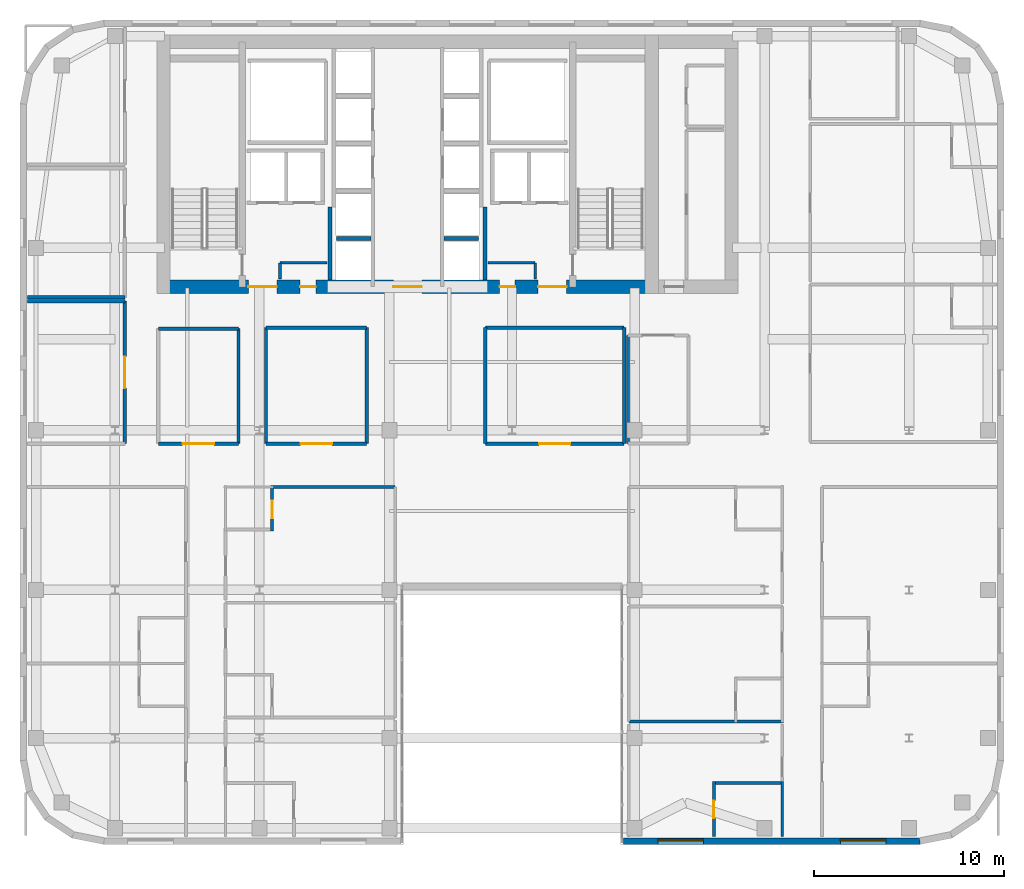
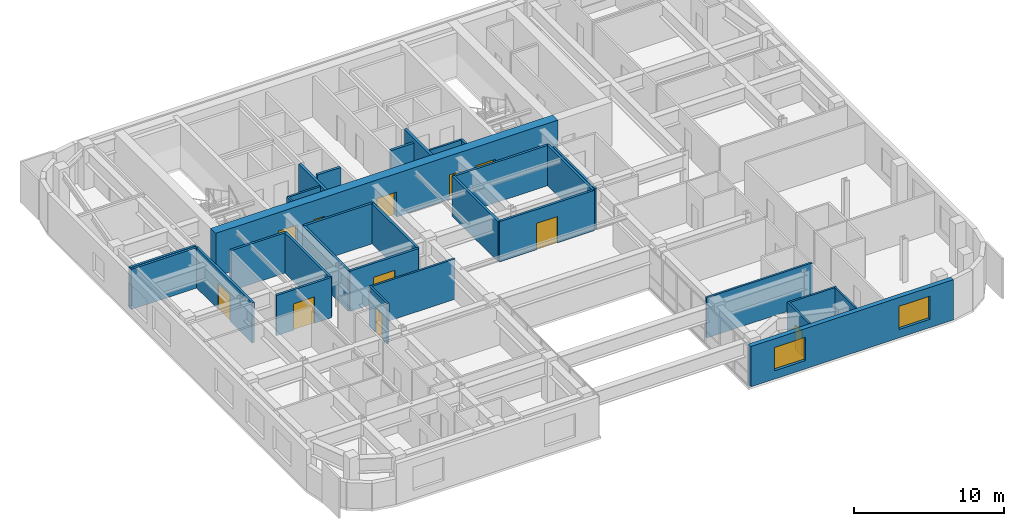
# One storey, part 8 of 13: 31 walls, 11 doors, 2 windows, 13 openings.
"""IFC4 building model written with IfcOpenShell, lengths in metres."""

from ifc_helpers import new_model, si_unit, direction, frame, frame_2d, origin, place, context, subcontext, project, spatial, rectangle, extrude, source, transform, mapped, material, layer, layer_set, type_object, type_shapes, element, fill, save


model = new_model("IFC4")

# Units and contexts
model_context = context("Model", 3, precision=1e-05, world=origin(), true_north=direction((0.0, 1.0)))
body_context = subcontext(model_context, "Body", "Model", "MODEL_VIEW")
ifc_project = project(units=[si_unit("LENGTHUNIT", "METRE"), si_unit("AREAUNIT", "SQUARE_METRE"), si_unit("VOLUMEUNIT", "CUBIC_METRE"), si_unit("PLANEANGLEUNIT", "RADIAN"), si_unit("MASSUNIT", "GRAM", prefix="KILO")], contexts=[model_context])

# Site, building, storey
site_placement = place(None, origin())
site = spatial("IfcSite", under=ifc_project, at=site_placement, CompositionType="ELEMENT")
building_placement = place(site_placement, origin())
building = spatial("IfcBuilding", under=site, at=building_placement, Name="Tolvann Quenvar Hotel", CompositionType="ELEMENT")
storey_placement = place(building_placement, frame((0.0, 0.0, 201.75)))
storey = spatial("IfcBuildingStorey", under=building, at=storey_placement, Name="L53", CompositionType="ELEMENT", Elevation=201.75)

# Wall, openings, doors
ifc_material_1 = material(Name="Concrete S65 (65 MPa)", Category="concrete")
ifc_layer_1 = layer(ifc_material_1, 0.699951171875)
ifc_layer_set_1 = layer_set([ifc_layer_1], Name="Concrete S65 (65 MPa)")
wall_type_1 = type_object("IfcWallType", Name="WALL_CORE_700", PredefinedType="SHEAR", material=ifc_layer_set_1)
wall_1_placement = place(storey_placement, frame((9.800048828125, 31.949951171875, 0.0), z_axis=(0.0, 0.0, 1.0), x_axis=(1.0, 0.0, 0.0)))
wall_1 = element("IfcWall", 1, at=wall_1_placement, inside=storey, type_object=wall_type_1, Name="Rear Core S Shear Wall (L53)", PredefinedType="SHEAR", context=body_context, shape_type="SweptSolid", body=[
    extrude(rectangle(XDim=26.39990234375, YDim=0.699951171875, at=frame_2d((13.199951171875, 0.0))), origin(), (0.0, 0.0, 1.0), 3.550048828125),
])
opening_1_placement = place(wall_1_placement, frame((6.320068359375, 0.0, 0.0), z_axis=(0.0, 0.0, 1.0), x_axis=(-1.0, 0.0, 0.0)))
opening_1 = element("IfcOpeningElement", 2, at=opening_1_placement, cuts=wall_1, Name="Opening FD-60D", PredefinedType="OPENING", context=body_context, shape_type="SweptSolid", body=[
    extrude(rectangle(XDim=1.5, YDim=2.0400390625, at=frame_2d((0.75, 1.02001953125))), frame((0.0, 0.35986328125, 0.0), z_axis=(0.0, -1.0, 0.0), x_axis=(1.0, 0.0, 0.0)), (0.0, 0.0, 1.0), 0.719970703125),
])
opening_2_placement = place(wall_1_placement, frame((13.949951171875, 0.0, 0.0), z_axis=(0.0, 0.0, 1.0), x_axis=(-1.0, 0.0, 0.0)))
opening_2 = element("IfcOpeningElement", 3, at=opening_2_placement, cuts=wall_1, Name="Opening FD-60D", PredefinedType="OPENING", context=body_context, shape_type="SweptSolid", body=[
    extrude(rectangle(XDim=1.5, YDim=2.0400390625, at=frame_2d((0.75, 1.02001953125))), frame((0.0, 0.35986328125, 0.0), z_axis=(0.0, -1.0, 0.0), x_axis=(1.0, 0.0, 0.0)), (0.0, 0.0, 1.0), 0.719970703125),
])
opening_3_placement = place(wall_1_placement, frame((21.580078125, 0.0, 0.0), z_axis=(0.0, 0.0, 1.0), x_axis=(-1.0, 0.0, 0.0)))
opening_3 = element("IfcOpeningElement", 4, at=opening_3_placement, cuts=wall_1, Name="Opening FD-60D", PredefinedType="OPENING", context=body_context, shape_type="SweptSolid", body=[
    extrude(rectangle(XDim=1.5, YDim=2.0400390625, at=frame_2d((0.75, 1.02001953125))), frame((0.0, 0.35986328125, 0.0), z_axis=(0.0, -1.0, 0.0), x_axis=(1.0, 0.0, 0.0)), (0.0, 0.0, 1.0), 0.719970703125),
])
opening_4_placement = place(wall_1_placement, frame((8.3701171875, 0.0, 0.0), z_axis=(0.0, 0.0, 1.0), x_axis=(-1.0, 0.0, 0.0)))
opening_4 = element("IfcOpeningElement", 5, at=opening_4_placement, cuts=wall_1, Name="Opening HD-02", PredefinedType="OPENING", context=body_context, shape_type="SweptSolid", body=[
    extrude(rectangle(XDim=0.820068359375, YDim=2.010009765625, at=frame_2d((0.41015625, 1.0048828125))), frame((0.0, 0.35986328125, 0.0), z_axis=(0.0, -1.0, 0.0), x_axis=(1.0, 0.0, 0.0)), (0.0, 0.0, 1.0), 0.719970703125),
])
opening_5_placement = place(wall_1_placement, frame((18.8701171875, 0.0, 0.0), z_axis=(0.0, 0.0, 1.0), x_axis=(-1.0, 0.0, 0.0)))
opening_5 = element("IfcOpeningElement", 6, at=opening_5_placement, cuts=wall_1, Name="Opening HD-02", PredefinedType="OPENING", context=body_context, shape_type="SweptSolid", body=[
    extrude(rectangle(XDim=0.820068359375, YDim=2.010009765625, at=frame_2d((0.41015625, 1.0048828125))), frame((0.0, 0.35986328125, 0.0), z_axis=(0.0, -1.0, 0.0), x_axis=(1.0, 0.0, 0.0)), (0.0, 0.0, 1.0), 0.719970703125),
])
ifc_material_2 = material(Name="Solid-core American oak acoustic fire door leaf in steel frame", Category="steel")
door_type_1 = type_object("IfcDoorType", Name="DOOR_FIRE_LOBBY_1500", OperationType="NOTDEFINED", PredefinedType="DOOR", material=ifc_material_2)
shared_shape_1 = source(origin(), body_context, "Body", "SweptSolid", [
    extrude(rectangle(XDim=1.5, YDim=2.0400390625, at=frame_2d((0.75, 1.02001953125))), frame((0.0, 0.02490234375, 0.0), z_axis=(0.0, -1.0, 0.0), x_axis=(1.0, 0.0, 0.0)), (0.0, 0.0, 1.0), 0.050048828125),
])
type_shapes(door_type_1, [shared_shape_1])
door_1_placement = place(opening_1_placement, origin())
door_1 = element("IfcDoor", 7, at=door_1_placement, inside=storey, type_object=door_type_1, Name="Core Lobby Fire Door FFW (L53)", OperationType="DOUBLE_DOOR_SINGLE_SWING", OverallHeight=2.0400390625, OverallWidth=1.5, PredefinedType="DOOR", context=body_context, shape_type="MappedRepresentation", body=[
    mapped(shared_shape_1, transform((0.0, 0.0, 0.0), x_axis=(1.0, 0.0, 0.0), y_axis=(0.0, 1.0, 0.0), z_axis=(0.0, 0.0, 1.0), scale=1.0)),
])
fill(opening_1, door_1)
door_2_placement = place(opening_2_placement, origin())
door_2 = element("IfcDoor", 8, at=door_2_placement, inside=storey, type_object=door_type_1, Name="Core Lobby Fire Door CLOB (L53)", OperationType="DOUBLE_DOOR_SINGLE_SWING", OverallHeight=2.0400390625, OverallWidth=1.5, PredefinedType="DOOR", context=body_context, shape_type="MappedRepresentation", body=[
    mapped(shared_shape_1, transform((0.0, 0.0, 0.0), x_axis=(1.0, 0.0, 0.0), y_axis=(0.0, 1.0, 0.0), z_axis=(0.0, 0.0, 1.0), scale=1.0)),
])
fill(opening_2, door_2)
door_3_placement = place(opening_3_placement, origin())
door_3 = element("IfcDoor", 9, at=door_3_placement, inside=storey, type_object=door_type_1, Name="Core Lobby Fire Door FFE (L53)", OperationType="DOUBLE_DOOR_SINGLE_SWING", OverallHeight=2.0400390625, OverallWidth=1.5, PredefinedType="DOOR", context=body_context, shape_type="MappedRepresentation", body=[
    mapped(shared_shape_1, transform((0.0, 0.0, 0.0), x_axis=(1.0, 0.0, 0.0), y_axis=(0.0, 1.0, 0.0), z_axis=(0.0, 0.0, 1.0), scale=1.0)),
])
fill(opening_3, door_3)
ifc_material_3 = material(Name="Pressed galvanised steel fire-rated door set", Category="steel")
door_type_2 = type_object("IfcDoorType", Name="DOOR_STORE_820", OperationType="NOTDEFINED", PredefinedType="DOOR", material=ifc_material_3)
shared_shape_2 = source(origin(), body_context, "Body", "SweptSolid", [
    extrude(rectangle(XDim=0.820068359375, YDim=2.010009765625, at=frame_2d((0.41015625, 1.0048828125))), frame((0.0, 0.02490234375, 0.0), z_axis=(0.0, -1.0, 0.0), x_axis=(1.0, 0.0, 0.0)), (0.0, 0.0, 1.0), 0.050048828125),
])
type_shapes(door_type_2, [shared_shape_2])
door_4_placement = place(opening_4_placement, origin())
door_4 = element("IfcDoor", 10, at=door_4_placement, inside=storey, type_object=door_type_2, Name="Core Linen Store Fire Door (L53)", OperationType="SINGLE_SWING_RIGHT", OverallHeight=2.010009765625, OverallWidth=0.820068359375, PredefinedType="DOOR", context=body_context, shape_type="MappedRepresentation", body=[
    mapped(shared_shape_2, transform((0.0, 0.0, 0.0), x_axis=(1.0, 0.0, 0.0), y_axis=(0.0, 1.0, 0.0), z_axis=(0.0, 0.0, 1.0), scale=1.0)),
])
fill(opening_4, door_4)
door_5_placement = place(opening_5_placement, origin())
door_5 = element("IfcDoor", 11, at=door_5_placement, inside=storey, type_object=door_type_2, Name="Core Comms Closet Fire Door (L53)", OperationType="SINGLE_SWING_LEFT", OverallHeight=2.010009765625, OverallWidth=0.820068359375, PredefinedType="DOOR", context=body_context, shape_type="MappedRepresentation", body=[
    mapped(shared_shape_2, transform((0.0, 0.0, 0.0), x_axis=(1.0, 0.0, 0.0), y_axis=(0.0, 1.0, 0.0), z_axis=(0.0, 0.0, 1.0), scale=1.0)),
])
fill(opening_5, door_5)

# Wall, openings, windows
ifc_material_4 = material(Name="Kiln-fired red and buff architectural clay brickwork and terracotta masonry", Category="masonry")
ifc_layer_2 = layer(ifc_material_4, 0.35009765625)
ifc_layer_set_2 = layer_set([ifc_layer_2], Name="Kiln-fired red and buff architectural clay brickwork and terracotta masonry")
wall_type_2 = type_object("IfcWallType", Name="WALL_EXT_BRICK_350", PredefinedType="SOLIDWALL", material=ifc_layer_set_2)
wall_2_placement = place(storey_placement, frame((34.375, 2.77490234375, 0.0), z_axis=(0.0, 0.0, 1.0), x_axis=(1.0, 0.0, 0.0)))
wall_2 = element("IfcWall", 12, at=wall_2_placement, inside=storey, type_object=wall_type_2, Name="Exterior Chicago Brick Wall L53-E08", PredefinedType="SOLIDWALL", context=body_context, shape_type="SweptSolid", body=[
    extrude(rectangle(XDim=15.60791015625, YDim=0.35009765625, at=frame_2d((7.803955078125, 0.0))), origin(), (0.0, 0.0, 1.0), 3.2900390625),
])
opening_6_placement = place(wall_2_placement, frame((1.801025390625, 0.0, 0.679931640625)))
opening_6 = element("IfcOpeningElement", 13, at=opening_6_placement, cuts=wall_2, Name="Opening W-01", PredefinedType="OPENING", context=body_context, shape_type="SweptSolid", body=[
    extrude(rectangle(XDim=2.39990234375, YDim=1.89990234375, at=frame_2d((1.199951171875, 0.949951171875))), frame((0.0, 0.18505859375, 0.0), z_axis=(0.0, -1.0, 0.0), x_axis=(1.0, 0.0, 0.0)), (0.0, 0.0, 1.0), 0.3701171875),
])
opening_7_placement = place(wall_2_placement, frame((11.406005859375, 0.0, 0.679931640625)))
opening_7 = element("IfcOpeningElement", 14, at=opening_7_placement, cuts=wall_2, Name="Opening W-01", PredefinedType="OPENING", context=body_context, shape_type="SweptSolid", body=[
    extrude(rectangle(XDim=2.39990234375, YDim=1.89990234375, at=frame_2d((1.199951171875, 0.949951171875))), frame((0.0, 0.18505859375, 0.0), z_axis=(0.0, -1.0, 0.0), x_axis=(1.0, 0.0, 0.0)), (0.0, 0.0, 1.0), 0.3701171875),
])
ifc_material_5 = material(Name="Thermally broken bronze-anodised aluminium frame with double low-E glazing", Category="aluminium")
window_type = type_object("IfcWindowType", Name="WIN_CHI_2400x2050", PartitioningType="TRIPLE_PANEL_HORIZONTAL", PredefinedType="WINDOW", material=ifc_material_5)
shared_shape_3 = source(origin(), body_context, "Body", "SweptSolid", [
    extrude(rectangle(XDim=2.39990234375, YDim=1.89990234375, at=frame_2d((1.199951171875, 0.949951171875))), frame((0.0, 0.090087890625, 0.0), z_axis=(0.0, -1.0, 0.0), x_axis=(1.0, 0.0, 0.0)), (0.0, 0.0, 1.0), 0.06005859375),
])
type_shapes(window_type, [shared_shape_3])
window_1_placement = place(opening_6_placement, origin())
window_1 = element("IfcWindow", 15, at=window_1_placement, inside=storey, type_object=window_type, Name="Chicago Window W-01 (EW-L53-E08-W01)", OverallHeight=1.89990234375, OverallWidth=2.39990234375, PartitioningType="TRIPLE_PANEL_HORIZONTAL", PredefinedType="WINDOW", context=body_context, shape_type="MappedRepresentation", body=[
    mapped(shared_shape_3, transform((0.0, 0.0, 0.0), x_axis=(1.0, 0.0, 0.0), y_axis=(0.0, 1.0, 0.0), z_axis=(0.0, 0.0, 1.0), scale=1.0)),
])
fill(opening_6, window_1)
window_2_placement = place(opening_7_placement, origin())
window_2 = element("IfcWindow", 16, at=window_2_placement, inside=storey, type_object=window_type, Name="Chicago Window W-01 (EW-L53-E08-W02)", OverallHeight=1.89990234375, OverallWidth=2.39990234375, PartitioningType="TRIPLE_PANEL_HORIZONTAL", PredefinedType="WINDOW", context=body_context, shape_type="MappedRepresentation", body=[
    mapped(shared_shape_3, transform((0.0, 0.0, 0.0), x_axis=(1.0, 0.0, 0.0), y_axis=(0.0, 1.0, 0.0), z_axis=(0.0, 0.0, 1.0), scale=1.0)),
])
fill(opening_7, window_2)

# Wall
ifc_material_6 = material(Name="Acoustic twin-stud fire-rated gypsum plasterboard partition")
ifc_layer_3 = layer(ifc_material_6, 0.179931640625)
ifc_layer_set_3 = layer_set([ifc_layer_3], Name="Acoustic twin-stud fire-rated gypsum plasterboard partition")
wall_type_3 = type_object("IfcWallType", Name="WALL_PART_ACOUSTIC_180", PredefinedType="PARTITIONING", material=ifc_layer_set_3)
wall_3_placement = place(storey_placement, frame((3.0048828125, 31.199951171875, 0.0), z_axis=(0.0, 0.0, 1.0), x_axis=(1.0, 0.0, 0.0)))
element("IfcWall", 17, at=wall_3_placement, inside=storey, type_object=wall_type_3, Name="Interior Partition PT-SPC-L53-SAL-N", PredefinedType="PARTITIONING", context=body_context, shape_type="SweptSolid", body=[
    extrude(rectangle(XDim=5.115234375, YDim=0.179931640625, at=frame_2d((2.5576171875, 0.0))), origin(), (0.0, 0.0, 1.0), 3.2900390625),
])

# Wall, opening, door
wall_4_placement = place(storey_placement, frame((8.1201171875, 23.699951171875, 0.0), z_axis=(0.0, 0.0, 1.0), x_axis=(0.0, 1.0, 0.0)))
wall_4 = element("IfcWall", 18, at=wall_4_placement, inside=storey, type_object=wall_type_3, Name="Interior Partition PT-SPC-L53-SAL-E", PredefinedType="PARTITIONING", context=body_context, shape_type="SweptSolid", body=[
    extrude(rectangle(XDim=7.5, YDim=0.179931640625, at=frame_2d((3.75, 0.0))), origin(), (0.0, 0.0, 1.0), 3.2900390625),
])
opening_8_placement = place(wall_4_placement, frame((2.925048828125, 0.0, 0.0)))
opening_8 = element("IfcOpeningElement", 19, at=opening_8_placement, cuts=wall_4, Name="Opening AD-01", PredefinedType="OPENING", context=body_context, shape_type="SweptSolid", body=[
    extrude(rectangle(XDim=1.64990234375, YDim=2.14990234375, at=frame_2d((0.824951171875, 1.074951171875))), frame((0.0, 0.10009765625, 0.0), z_axis=(0.0, -1.0, 0.0), x_axis=(1.0, 0.0, 0.0)), (0.0, 0.0, 1.0), 0.199951171875),
])
door_type_3 = type_object("IfcDoorType", Name="DOOR_SALON_1650", OperationType="NOTDEFINED", PredefinedType="DOOR", material=ifc_material_2)
shared_shape_4 = source(origin(), body_context, "Body", "SweptSolid", [
    extrude(rectangle(XDim=1.64990234375, YDim=2.14990234375, at=frame_2d((0.824951171875, 1.074951171875))), frame((0.0, 0.02490234375, 0.0), z_axis=(0.0, -1.0, 0.0), x_axis=(1.0, 0.0, 0.0)), (0.0, 0.0, 1.0), 0.050048828125),
])
type_shapes(door_type_3, [shared_shape_4])
door_6_placement = place(opening_8_placement, origin())
door_6 = element("IfcDoor", 20, at=door_6_placement, inside=storey, type_object=door_type_3, Name="Interior Door DOOR-SPC-L53-SAL", OperationType="DOUBLE_DOOR_SINGLE_SWING", OverallHeight=2.14990234375, OverallWidth=1.64990234375, PredefinedType="DOOR", context=body_context, shape_type="MappedRepresentation", body=[
    mapped(shared_shape_4, transform((0.0, 0.0, 0.0), x_axis=(1.0, 0.0, 0.0), y_axis=(0.0, 1.0, 0.0), z_axis=(0.0, 0.0, 1.0), scale=1.0)),
])
fill(opening_8, door_6)

# Wall
wall_5_placement = place(storey_placement, frame((3.0048828125, 31.39990234375, 0.0), z_axis=(0.0, 0.0, 1.0), x_axis=(1.0, 0.0, 0.0)))
element("IfcWall", 21, at=wall_5_placement, inside=storey, type_object=wall_type_3, Name="Interior Partition PT-SPC-L53-MTG-S", PredefinedType="PARTITIONING", context=body_context, shape_type="SweptSolid", body=[
    extrude(rectangle(XDim=5.115234375, YDim=0.179931640625, at=frame_2d((2.5576171875, 0.0))), origin(), (0.0, 0.0, 1.0), 3.2900390625),
])

# Wall, opening, door
wall_6_placement = place(storey_placement, frame((9.8798828125, 23.699951171875, 0.0), z_axis=(0.0, 0.0, 1.0), x_axis=(1.0, 0.0, 0.0)))
wall_6 = element("IfcWall", 22, at=wall_6_placement, inside=storey, type_object=wall_type_3, Name="Interior Partition PT-SPC-L53-MSP-W-S", PredefinedType="PARTITIONING", context=body_context, shape_type="SweptSolid", body=[
    extrude(rectangle(XDim=4.22021484375, YDim=0.179931640625, at=frame_2d((2.110107421875, 0.0))), origin(), (0.0, 0.0, 1.0), 3.2900390625),
])
opening_9_placement = place(wall_6_placement, frame((1.284912109375, 0.0, 0.0)))
opening_9 = element("IfcOpeningElement", 23, at=opening_9_placement, cuts=wall_6, Name="Opening AD-01", PredefinedType="OPENING", context=body_context, shape_type="SweptSolid", body=[
    extrude(rectangle(XDim=1.64990234375, YDim=2.14990234375, at=frame_2d((0.824951171875, 1.074951171875))), frame((0.0, 0.10009765625, 0.0), z_axis=(0.0, -1.0, 0.0), x_axis=(1.0, 0.0, 0.0)), (0.0, 0.0, 1.0), 0.199951171875),
])
door_7_placement = place(opening_9_placement, origin())
door_7 = element("IfcDoor", 24, at=door_7_placement, inside=storey, type_object=door_type_3, Name="Interior Door DOOR-SPC-L53-MSP-W", OperationType="DOUBLE_DOOR_SINGLE_SWING", OverallHeight=2.14990234375, OverallWidth=1.64990234375, PredefinedType="DOOR", context=body_context, shape_type="MappedRepresentation", body=[
    mapped(shared_shape_4, transform((0.0, 0.0, 0.0), x_axis=(1.0, 0.0, 0.0), y_axis=(0.0, 1.0, 0.0), z_axis=(0.0, 0.0, 1.0), scale=1.0)),
])
fill(opening_9, door_7)

# Walls
wall_7_placement = place(storey_placement, frame((9.8798828125, 29.75, 0.0), z_axis=(0.0, 0.0, 1.0), x_axis=(1.0, 0.0, 0.0)))
element("IfcWall", 25, at=wall_7_placement, inside=storey, type_object=wall_type_3, Name="Interior Partition PT-SPC-L53-MSP-W-N", PredefinedType="PARTITIONING", context=body_context, shape_type="SweptSolid", body=[
    extrude(rectangle(XDim=4.22021484375, YDim=0.179931640625, at=frame_2d((2.110107421875, 0.0))), origin(), (0.0, 0.0, 1.0), 3.2900390625),
])
wall_8_placement = place(storey_placement, frame((14.10009765625, 23.699951171875, 0.0), z_axis=(0.0, 0.0, 1.0), x_axis=(0.0, 1.0, 0.0)))
element("IfcWall", 26, at=wall_8_placement, inside=storey, type_object=wall_type_3, Name="Interior Partition PT-SPC-L53-MSP-W-E", PredefinedType="PARTITIONING", context=body_context, shape_type="SweptSolid", body=[
    extrude(rectangle(XDim=6.050048828125, YDim=0.179931640625, at=frame_2d((3.02490234375, 0.0))), origin(), (0.0, 0.0, 1.0), 3.2900390625),
])

# Wall, opening, door
wall_9_placement = place(storey_placement, frame((27.10009765625, 23.699951171875, 0.0), z_axis=(0.0, 0.0, 1.0), x_axis=(1.0, 0.0, 0.0)))
wall_9 = element("IfcWall", 27, at=wall_9_placement, inside=storey, type_object=wall_type_3, Name="Interior Partition PT-SPC-L53-MSP-C-S", PredefinedType="PARTITIONING", context=body_context, shape_type="SweptSolid", body=[
    extrude(rectangle(XDim=7.2998046875, YDim=0.179931640625, at=frame_2d((3.64990234375, 0.0))), origin(), (0.0, 0.0, 1.0), 3.2900390625),
])
opening_10_placement = place(wall_9_placement, frame((2.824951171875, 0.0, 0.0)))
opening_10 = element("IfcOpeningElement", 28, at=opening_10_placement, cuts=wall_9, Name="Opening AD-01", PredefinedType="OPENING", context=body_context, shape_type="SweptSolid", body=[
    extrude(rectangle(XDim=1.64990234375, YDim=2.14990234375, at=frame_2d((0.824951171875, 1.074951171875))), frame((0.0, 0.10009765625, 0.0), z_axis=(0.0, -1.0, 0.0), x_axis=(1.0, 0.0, 0.0)), (0.0, 0.0, 1.0), 0.199951171875),
])
door_8_placement = place(opening_10_placement, origin())
door_8 = element("IfcDoor", 29, at=door_8_placement, inside=storey, type_object=door_type_3, Name="Interior Door DOOR-SPC-L53-MSP-C", OperationType="DOUBLE_DOOR_SINGLE_SWING", OverallHeight=2.14990234375, OverallWidth=1.64990234375, PredefinedType="DOOR", context=body_context, shape_type="MappedRepresentation", body=[
    mapped(shared_shape_4, transform((0.0, 0.0, 0.0), x_axis=(1.0, 0.0, 0.0), y_axis=(0.0, 1.0, 0.0), z_axis=(0.0, 0.0, 1.0), scale=1.0)),
])
fill(opening_10, door_8)

# Walls
wall_10_placement = place(storey_placement, frame((27.10009765625, 29.800048828125, 0.0), z_axis=(0.0, 0.0, 1.0), x_axis=(1.0, 0.0, 0.0)))
element("IfcWall", 30, at=wall_10_placement, inside=storey, type_object=wall_type_3, Name="Interior Partition PT-SPC-L53-MSP-C-N", PredefinedType="PARTITIONING", context=body_context, shape_type="SweptSolid", body=[
    extrude(rectangle(XDim=7.2998046875, YDim=0.179931640625, at=frame_2d((3.64990234375, 0.0))), origin(), (0.0, 0.0, 1.0), 3.2900390625),
])
for number, where, z_axis, x_axis, name in (
    (31, (27.10009765625, 23.699951171875, 0.0), (0.0, 0.0, 1.0), (0.0, 1.0, 0.0), "Interior Partition PT-SPC-L53-MSP-C-W"),
    (32, (34.39990234375, 23.699951171875, 0.0), (0.0, 0.0, 1.0), (0.0, 1.0, 0.0), "Interior Partition PT-SPC-L53-MSP-C-E"),
):
    element("IfcWall", number, at=place(storey_placement, frame(where, z_axis=z_axis, x_axis=x_axis)), inside=storey, type_object=wall_type_3, Name=name, PredefinedType="PARTITIONING", context=body_context, shape_type="SweptSolid", body=[
        extrude(rectangle(XDim=6.10009765625, YDim=0.179931640625, at=frame_2d((3.050048828125, 0.0))), origin(), (0.0, 0.0, 1.0), 3.2900390625),
    ])

# Wall, opening, door
wall_11_placement = place(storey_placement, frame((15.550048828125, 23.699951171875, 0.0), z_axis=(0.0, 0.0, 1.0), x_axis=(1.0, 0.0, 0.0)))
wall_11 = element("IfcWall", 33, at=wall_11_placement, inside=storey, type_object=wall_type_3, Name="Interior Partition PT-SPC-L53-MSP-N-S", PredefinedType="PARTITIONING", context=body_context, shape_type="SweptSolid", body=[
    extrude(rectangle(XDim=5.300048828125, YDim=0.179931640625, at=frame_2d((2.64990234375, 0.0))), origin(), (0.0, 0.0, 1.0), 3.2900390625),
])
opening_11_placement = place(wall_11_placement, frame((1.824951171875, 0.0, 0.0)))
opening_11 = element("IfcOpeningElement", 34, at=opening_11_placement, cuts=wall_11, Name="Opening AD-01", PredefinedType="OPENING", context=body_context, shape_type="SweptSolid", body=[
    extrude(rectangle(XDim=1.64990234375, YDim=2.14990234375, at=frame_2d((0.824951171875, 1.074951171875))), frame((0.0, 0.10009765625, 0.0), z_axis=(0.0, -1.0, 0.0), x_axis=(1.0, 0.0, 0.0)), (0.0, 0.0, 1.0), 0.199951171875),
])
door_9_placement = place(opening_11_placement, origin())
door_9 = element("IfcDoor", 35, at=door_9_placement, inside=storey, type_object=door_type_3, Name="Interior Door DOOR-SPC-L53-MSP-N", OperationType="DOUBLE_DOOR_SINGLE_SWING", OverallHeight=2.14990234375, OverallWidth=1.64990234375, PredefinedType="DOOR", context=body_context, shape_type="MappedRepresentation", body=[
    mapped(shared_shape_4, transform((0.0, 0.0, 0.0), x_axis=(1.0, 0.0, 0.0), y_axis=(0.0, 1.0, 0.0), z_axis=(0.0, 0.0, 1.0), scale=1.0)),
])
fill(opening_11, door_9)

# Walls
wall_12_placement = place(storey_placement, frame((15.550048828125, 29.800048828125, 0.0), z_axis=(0.0, 0.0, 1.0), x_axis=(1.0, 0.0, 0.0)))
element("IfcWall", 36, at=wall_12_placement, inside=storey, type_object=wall_type_3, Name="Interior Partition PT-SPC-L53-MSP-N-N", PredefinedType="PARTITIONING", context=body_context, shape_type="SweptSolid", body=[
    extrude(rectangle(XDim=5.300048828125, YDim=0.179931640625, at=frame_2d((2.64990234375, 0.0))), origin(), (0.0, 0.0, 1.0), 3.2900390625),
])
for number, where, z_axis, x_axis, name in (
    (37, (15.550048828125, 23.699951171875, 0.0), (0.0, 0.0, 1.0), (0.0, 1.0, 0.0), "Interior Partition PT-SPC-L53-MSP-N-W"),
    (38, (20.85009765625, 23.699951171875, 0.0), (0.0, 0.0, 1.0), (0.0, 1.0, 0.0), "Interior Partition PT-SPC-L53-MSP-N-E"),
):
    element("IfcWall", number, at=place(storey_placement, frame(where, z_axis=z_axis, x_axis=x_axis)), inside=storey, type_object=wall_type_3, Name=name, PredefinedType="PARTITIONING", context=body_context, shape_type="SweptSolid", body=[
        extrude(rectangle(XDim=6.10009765625, YDim=0.179931640625, at=frame_2d((3.050048828125, 0.0))), origin(), (0.0, 0.0, 1.0), 3.2900390625),
    ])
ifc_material_7 = material(Name="Moisture-resistant acoustic plumbing wall assembly")
ifc_layer_4 = layer(ifc_material_7, 0.1201171875)
ifc_layer_set_4 = layer_set([ifc_layer_4], Name="Moisture-resistant acoustic plumbing wall assembly")
wall_type_4 = type_object("IfcWallType", Name="WALL_PART_BATH_120", PredefinedType="PLUMBINGWALL", material=ifc_layer_set_4)
wall_13_placement = place(storey_placement, frame((42.72998046875, 3.0048828125, 0.0), z_axis=(0.0, 0.0, 1.0), x_axis=(0.0, 1.0, 0.0)))
element("IfcWall", 39, at=wall_13_placement, inside=storey, type_object=wall_type_4, Name="Non-Rated Plumbing Partition PT-SPC-L53-ENS-EI01-E", PredefinedType="PLUMBINGWALL", context=body_context, shape_type="SweptSolid", body=[
    extrude(rectangle(XDim=2.89501953125, YDim=0.1201171875, at=frame_2d((1.447509765625, 0.0))), origin(), (0.0, 0.0, 1.0), 3.2900390625),
])

# Wall, opening, door
ifc_layer_5 = layer(ifc_material_6, 0.14990234375)
ifc_layer_set_5 = layer_set([ifc_layer_5], Name="Acoustic twin-stud fire-rated gypsum plasterboard partition")
wall_type_5 = type_object("IfcWallType", Name="WALL_PART_SUITE_150", PredefinedType="PARTITIONING", material=ifc_layer_set_5)
wall_14_placement = place(storey_placement, frame((15.8701171875, 19.10009765625, 0.0), z_axis=(0.0, 0.0, 1.0), x_axis=(0.0, 1.0, 0.0)))
wall_14 = element("IfcWall", 40, at=wall_14_placement, inside=storey, type_object=wall_type_5, Name="Interior Partition PT-SPC-L53-ENS-WI03-ENT", PredefinedType="PARTITIONING", context=body_context, shape_type="SweptSolid", body=[
    extrude(rectangle(XDim=2.389892578125, YDim=0.14990234375, at=frame_2d((1.19482421875, 0.0))), origin(), (0.0, 0.0, 1.0), 3.2900390625),
])
opening_12_placement = place(wall_14_placement, frame((0.6650390625, 0.0, 0.0)))
opening_12 = element("IfcOpeningElement", 41, at=opening_12_placement, cuts=wall_14, Name="Opening WD-01", PredefinedType="OPENING", context=body_context, shape_type="SweptSolid", body=[
    extrude(rectangle(XDim=0.919921875, YDim=2.010009765625, at=frame_2d((0.4599609375, 1.0048828125))), frame((0.0, 0.0849609375, 0.0), z_axis=(0.0, -1.0, 0.0), x_axis=(1.0, 0.0, 0.0)), (0.0, 0.0, 1.0), 0.169921875),
])
door_type_4 = type_object("IfcDoorType", Name="DOOR_WC_920", OperationType="NOTDEFINED", PredefinedType="DOOR", material=ifc_material_2)
shared_shape_5 = source(origin(), body_context, "Body", "SweptSolid", [
    extrude(rectangle(XDim=0.919921875, YDim=2.010009765625, at=frame_2d((0.4599609375, 1.0048828125))), frame((0.0, 0.02490234375, 0.0), z_axis=(0.0, -1.0, 0.0), x_axis=(1.0, 0.0, 0.0)), (0.0, 0.0, 1.0), 0.050048828125),
])
type_shapes(door_type_4, [shared_shape_5])
door_10_placement = place(opening_12_placement, origin())
door_10 = element("IfcDoor", 42, at=door_10_placement, inside=storey, type_object=door_type_4, Name="Interior Door DOOR-SPC-L53-ENS-WI03", OperationType="SINGLE_SWING_LEFT", OverallHeight=2.010009765625, OverallWidth=0.919921875, PredefinedType="DOOR", context=body_context, shape_type="MappedRepresentation", body=[
    mapped(shared_shape_5, transform((0.0, 0.0, 0.0), x_axis=(1.0, 0.0, 0.0), y_axis=(0.0, 1.0, 0.0), z_axis=(0.0, 0.0, 1.0), scale=1.0)),
])
fill(opening_12, door_10)

wall_15_placement = place(storey_placement, frame((39.1298828125, 3.0048828125, 0.0), z_axis=(0.0, 0.0, 1.0), x_axis=(0.0, 1.0, 0.0)))
wall_15 = element("IfcWall", 43, at=wall_15_placement, inside=storey, type_object=wall_type_5, Name="Interior Partition PT-SPC-L53-ENS-EI01-ENT", PredefinedType="PARTITIONING", context=body_context, shape_type="SweptSolid", body=[
    extrude(rectangle(XDim=2.89501953125, YDim=0.14990234375, at=frame_2d((1.447509765625, 0.0))), origin(), (0.0, 0.0, 1.0), 3.2900390625),
])
opening_13_placement = place(wall_15_placement, frame((0.97998046875, 0.0, 0.0)))
opening_13 = element("IfcOpeningElement", 44, at=opening_13_placement, cuts=wall_15, Name="Opening WD-01", PredefinedType="OPENING", context=body_context, shape_type="SweptSolid", body=[
    extrude(rectangle(XDim=0.919921875, YDim=2.010009765625, at=frame_2d((0.4599609375, 1.0048828125))), frame((0.0, 0.0849609375, 0.0), z_axis=(0.0, -1.0, 0.0), x_axis=(1.0, 0.0, 0.0)), (0.0, 0.0, 1.0), 0.169921875),
])
door_11_placement = place(opening_13_placement, origin())
door_11 = element("IfcDoor", 45, at=door_11_placement, inside=storey, type_object=door_type_4, Name="Interior Door DOOR-SPC-L53-ENS-EI01", OperationType="SINGLE_SWING_RIGHT", OverallHeight=2.010009765625, OverallWidth=0.919921875, PredefinedType="DOOR", context=body_context, shape_type="MappedRepresentation", body=[
    mapped(shared_shape_5, transform((0.0, 0.0, 0.0), x_axis=(1.0, 0.0, 0.0), y_axis=(0.0, 1.0, 0.0), z_axis=(0.0, 0.0, 1.0), scale=1.0)),
])
fill(opening_13, door_11)

# Walls
wall_16_placement = place(storey_placement, frame((39.06005859375, 5.830078125, 0.0), z_axis=(0.0, 0.0, 1.0), x_axis=(1.0, 0.0, 0.0)))
element("IfcWall", 46, at=wall_16_placement, inside=storey, type_object=wall_type_5, Name="Interior Partition PT-SPC-L53-ENS-EI01-N", PredefinedType="PARTITIONING", context=body_context, shape_type="SweptSolid", body=[
    extrude(rectangle(XDim=3.739990234375, YDim=0.14990234375, at=frame_2d((1.8701171875, 0.0))), origin(), (0.0, 0.0, 1.0), 3.2900390625),
])
wall_17_placement = place(storey_placement, frame((34.64990234375, 9.080078125, 0.0), z_axis=(0.0, 0.0, 1.0), x_axis=(1.0, 0.0, 0.0)))
element("IfcWall", 47, at=wall_17_placement, inside=storey, type_object=wall_type_5, Name="Interior Partition PT-SPC-L53-ENS-EI02-S", PredefinedType="PARTITIONING", context=body_context, shape_type="SweptSolid", body=[
    extrude(rectangle(XDim=8.150146484375, YDim=0.14990234375, at=frame_2d((4.0751953125, 0.0))), origin(), (0.0, 0.0, 1.0), 3.2900390625),
])
wall_18_placement = place(storey_placement, frame((16.280029296875, 33.219970703125, 0.0), z_axis=(0.0, 0.0, 1.0), x_axis=(1.0, 0.0, 0.0)))
element("IfcWall", 48, at=wall_18_placement, inside=storey, type_object=wall_type_5, Name="Interior Partition PT-SPC-L53-CSW-1-N", PredefinedType="PARTITIONING", context=body_context, shape_type="SweptSolid", body=[
    extrude(rectangle(XDim=2.48486328125, YDim=0.14990234375, at=frame_2d((1.242431640625, 0.0))), origin(), (0.0, 0.0, 1.0), 3.2900390625),
])
wall_19_placement = place(storey_placement, frame((16.280029296875, 32.35498046875, 0.0), z_axis=(0.0, 0.0, 1.0), x_axis=(0.0, 1.0, 0.0)))
element("IfcWall", 49, at=wall_19_placement, inside=storey, type_object=wall_type_5, Name="Interior Partition PT-SPC-L53-CSW-1-W", PredefinedType="PARTITIONING", context=body_context, shape_type="SweptSolid", body=[
    extrude(rectangle(XDim=0.864990234375, YDim=0.14990234375, at=frame_2d((0.4326171875, 0.0))), origin(), (0.0, 0.0, 1.0), 3.2900390625),
])
wall_20_placement = place(storey_placement, frame((27.235107421875, 33.219970703125, 0.0), z_axis=(0.0, 0.0, 1.0), x_axis=(1.0, 0.0, 0.0)))
element("IfcWall", 50, at=wall_20_placement, inside=storey, type_object=wall_type_5, Name="Interior Partition PT-SPC-L53-CSE-2-N", PredefinedType="PARTITIONING", context=body_context, shape_type="SweptSolid", body=[
    extrude(rectangle(XDim=2.48486328125, YDim=0.14990234375, at=frame_2d((1.242431640625, 0.0))), origin(), (0.0, 0.0, 1.0), 3.2900390625),
])
wall_21_placement = place(storey_placement, frame((29.719970703125, 32.35498046875, 0.0), z_axis=(0.0, 0.0, 1.0), x_axis=(0.0, 1.0, 0.0)))
element("IfcWall", 51, at=wall_21_placement, inside=storey, type_object=wall_type_5, Name="Interior Partition PT-SPC-L53-CSE-2-E", PredefinedType="PARTITIONING", context=body_context, shape_type="SweptSolid", body=[
    extrude(rectangle(XDim=0.864990234375, YDim=0.14990234375, at=frame_2d((0.4326171875, 0.0))), origin(), (0.0, 0.0, 1.0), 3.2900390625),
])
wall_22_placement = place(storey_placement, frame((15.889892578125, 21.419921875, 0.0), z_axis=(0.0, 0.0, 1.0), x_axis=(1.0, 0.0, 0.0)))
element("IfcWall", 52, at=wall_22_placement, inside=storey, type_object=wall_type_5, Name="Interior Partition PT-SPC-L53-RM-WI03-E3", PredefinedType="PARTITIONING", context=body_context, shape_type="SweptSolid", body=[
    extrude(rectangle(XDim=6.460205078125, YDim=0.14990234375, at=frame_2d((3.22998046875, 0.0))), origin(), (0.0, 0.0, 1.0), 3.2900390625),
])
wall_23_placement = place(storey_placement, frame((34.60009765625, 23.699951171875, 0.0), z_axis=(0.0, 0.0, 1.0), x_axis=(0.0, 1.0, 0.0)))
element("IfcWall", 53, at=wall_23_placement, inside=storey, type_object=wall_type_5, Name="Interior Partition PT-SPC-L53-MSP-E-W", PredefinedType="PARTITIONING", context=body_context, shape_type="SweptSolid", body=[
    extrude(rectangle(XDim=5.699951171875, YDim=0.14990234375, at=frame_2d((2.85009765625, 0.0))), origin(), (0.0, 0.0, 1.0), 3.2900390625),
])
ifc_material_8 = material(Name="Concrete N40 (40 MPa)", Category="concrete")
ifc_layer_6 = layer(ifc_material_8, 0.199951171875)
ifc_layer_set_6 = layer_set([ifc_layer_6], Name="Concrete N40 (40 MPa)")
wall_type_6 = type_object("IfcWallType", Name="WALL_SHAFT_200", PredefinedType="SOLIDWALL", material=ifc_layer_set_6)
for number, where, z_axis, x_axis, name in (
    (54, (18.919921875, 32.303955078125, 0.0), (0.0, 0.0, 1.0), (0.0, 1.0, 0.0), "Firefighting Lobby W Inner Fire Wall (L53)"),
    (55, (27.080078125, 32.303955078125, 0.0), (0.0, 0.0, 1.0), (0.0, 1.0, 0.0), "Firefighting Lobby E Inner Fire Wall (L53)"),
):
    element("IfcWall", number, at=place(storey_placement, frame(where, z_axis=z_axis, x_axis=x_axis)), inside=storey, type_object=wall_type_6, Name=name, PredefinedType="SOLIDWALL", context=body_context, shape_type="SweptSolid", body=[
        extrude(rectangle(XDim=3.845947265625, YDim=0.199951171875, at=frame_2d((1.9228515625, 0.0))), origin(), (0.0, 0.0, 1.0), 3.2900390625),
    ])
for number, where, z_axis, x_axis, name in (
    (56, (19.27001953125, 34.5, 0.0), (0.0, 0.0, 1.0), (1.0, 0.0, 0.0), "Lift Bank E21.1C1 Divider Wall 1 (L53)"),
    (57, (24.929931640625, 34.5, 0.0), (0.0, 0.0, 1.0), (1.0, 0.0, 0.0), "Lift Bank W24.9C1 Divider Wall 1 (L53)"),
):
    element("IfcWall", number, at=place(storey_placement, frame(where, z_axis=z_axis, x_axis=x_axis)), inside=storey, type_object=wall_type_6, Name=name, PredefinedType="SOLIDWALL", context=body_context, shape_type="SweptSolid", body=[
        extrude(rectangle(XDim=1.800048828125, YDim=0.199951171875, at=frame_2d((0.89990234375, 0.0))), origin(), (0.0, 0.0, 1.0), 3.2900390625),
    ])

save(model, "model.ifc")
